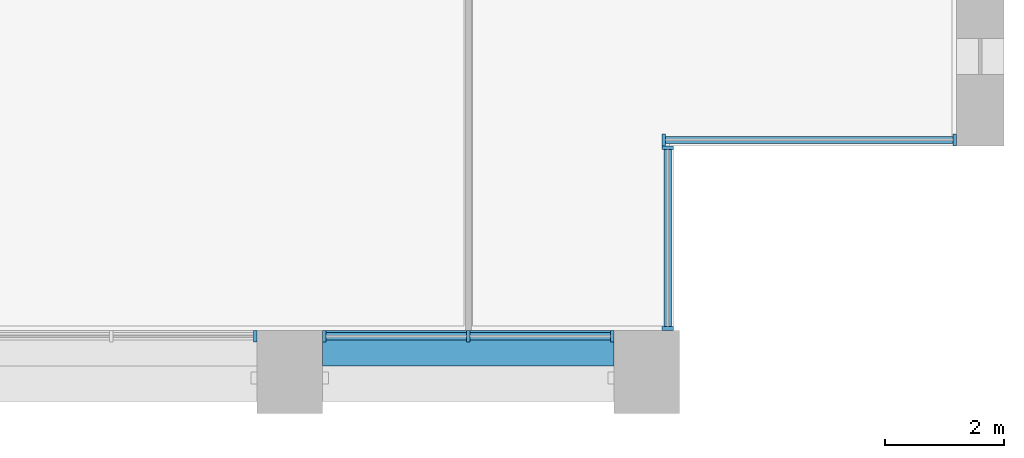
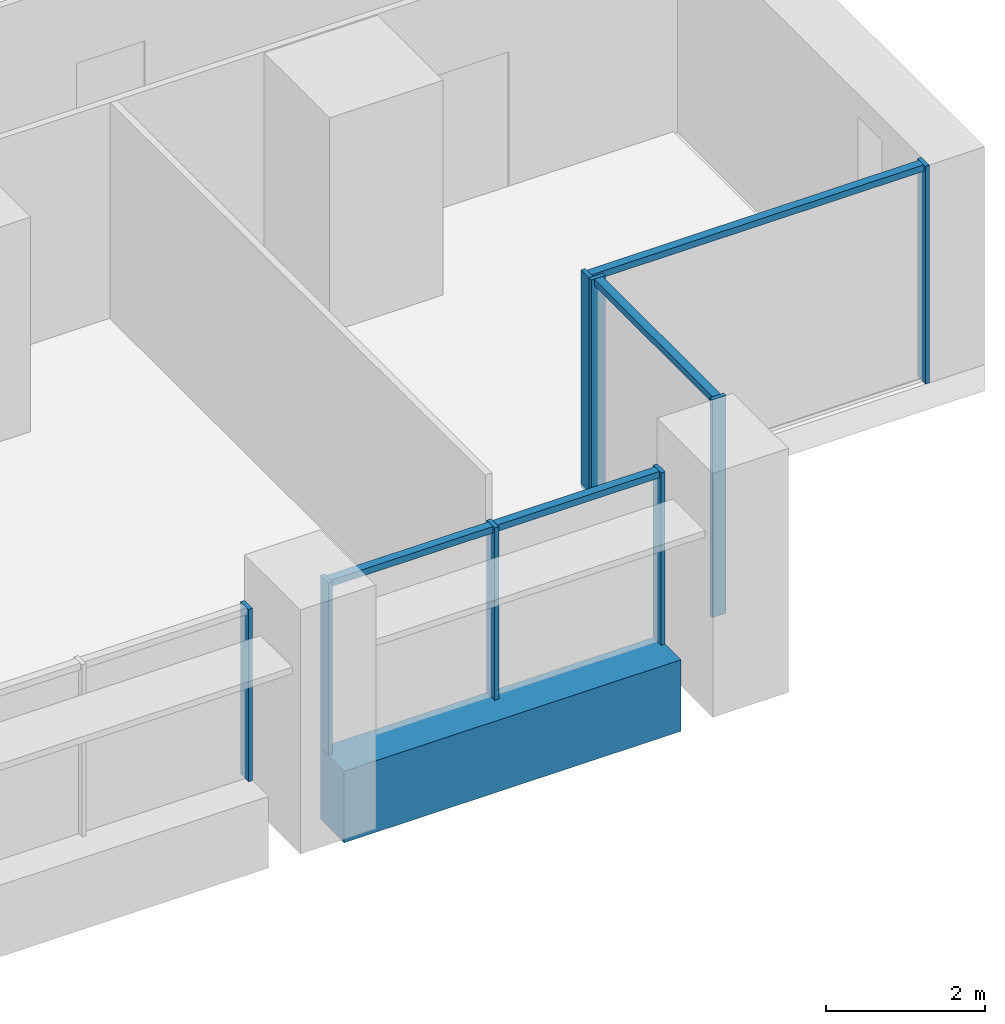
# One storey, part 5 of 18: 12 members, 1 beam, 4 elements without a shape of their own.
"""IFC4 building model written with IfcOpenShell, lengths in metres."""

from ifc_helpers import new_model, si_unit, direction, frame, origin, origin_2d, place, context, subcontext, project, spatial, rectangle, extrude, material, material_profile, profile_set, type_object, element, aggregate, save


model = new_model("IFC4")

# Units and contexts
model_context = context("Model", 3, precision=1e-05, world=origin(), true_north=direction((0.0, 1.0)))
body_context = subcontext(model_context, "Body", "Model", "MODEL_VIEW")
ifc_project = project(units=[si_unit("LENGTHUNIT", "METRE"), si_unit("AREAUNIT", "SQUARE_METRE"), si_unit("VOLUMEUNIT", "CUBIC_METRE"), si_unit("PLANEANGLEUNIT", "RADIAN"), si_unit("MASSUNIT", "GRAM", prefix="KILO")], contexts=[model_context])

# Site, building, storey
site_placement = place(None, origin())
site = spatial("IfcSite", under=ifc_project, at=site_placement, CompositionType="ELEMENT")
building_placement = place(site_placement, origin())
building = spatial("IfcBuilding", under=site, at=building_placement, Name="Calvaro Tower", CompositionType="ELEMENT")
storey_placement = place(building_placement, frame((0.0, 0.0, 60.0)))
storey = spatial("IfcBuildingStorey", under=building, at=storey_placement, Name="L14", CompositionType="ELEMENT", Elevation=60.0)

# Curtain wall, member
ifc_material_1 = material(Name="Anodised aluminium", Category="aluminium")
curtain_wall_type = type_object("IfcCurtainWallType", Name="Office curtain wall, lower zone", PredefinedType="NOTDEFINED", material=ifc_material_1)
curtain_wall_1_placement = place(storey_placement, origin())
curtain_wall_1 = element("IfcCurtainWall", 1, at=curtain_wall_1_placement, inside=storey, type_object=curtain_wall_type, Name="CW1 south curtain wall", PredefinedType="NOTDEFINED")
ifc_material_2 = material(Name="Anodised aluminium", Category="aluminium")
ifc_material_profile_1 = material_profile(ifc_material_2, rectangle(XDim=0.199951171875, YDim=0.06005859375, at=origin_2d()), Name="Mullion S1 60 x 200")
ifc_profile_set_1 = profile_set([ifc_material_profile_1], Name="Anodised aluminium")
member_type_1 = type_object("IfcMemberType", Name="Mullion S1 60 x 200", PredefinedType="MULLION", material=ifc_profile_set_1)
member_1_placement = place(storey_placement, frame((65.419921875, 1.300048828125, 0.0), z_axis=(0.0, 0.0, 1.0), x_axis=(0.0, 1.0, 0.0)))
member_1 = element("IfcMember", 2, at=member_1_placement, type_object=member_type_1, Name="CW1 mullion 3", PredefinedType="MULLION", context=body_context, shape_type="SweptSolid", body=[
    extrude(rectangle(XDim=0.199951171875, YDim=0.06005859375, at=origin_2d()), origin(), (0.0, 0.0, 1.0), 2.64990234375),
])
aggregate(curtain_wall_1, [member_1])

# Curtain wall, members
curtain_wall_2_placement = place(storey_placement, origin())
curtain_wall_2 = element("IfcCurtainWall", 3, at=curtain_wall_2_placement, inside=storey, type_object=curtain_wall_type, Name="CW1 south curtain wall", PredefinedType="NOTDEFINED")
member_2_placement = place(storey_placement, frame((66.580078125, 1.300048828125, 0.0), z_axis=(0.0, 0.0, 1.0), x_axis=(0.0, 1.0, 0.0)))
member_2 = element("IfcMember", 4, at=member_2_placement, type_object=member_type_1, Name="CW1 mullion 1", PredefinedType="MULLION", context=body_context, shape_type="SweptSolid", body=[
    extrude(rectangle(XDim=0.199951171875, YDim=0.06005859375, at=origin_2d()), origin(), (0.0, 0.0, 1.0), 2.64990234375),
])
member_3_placement = place(storey_placement, frame((69.0, 1.300048828125, 0.0), z_axis=(0.0, 0.0, 1.0), x_axis=(0.0, 1.0, 0.0)))
member_3 = element("IfcMember", 5, at=member_3_placement, type_object=member_type_1, Name="CW1 mullion 2", PredefinedType="MULLION", context=body_context, shape_type="SweptSolid", body=[
    extrude(rectangle(XDim=0.199951171875, YDim=0.06005859375, at=origin_2d()), origin(), (0.0, 0.0, 1.0), 2.64990234375),
])
member_4_placement = place(storey_placement, frame((71.419921875, 1.300048828125, 0.0), z_axis=(0.0, 0.0, 1.0), x_axis=(0.0, 1.0, 0.0)))
member_4 = element("IfcMember", 6, at=member_4_placement, type_object=member_type_1, Name="CW1 mullion 3", PredefinedType="MULLION", context=body_context, shape_type="SweptSolid", body=[
    extrude(rectangle(XDim=0.199951171875, YDim=0.06005859375, at=origin_2d()), origin(), (0.0, 0.0, 1.0), 2.64990234375),
])

curtain_wall_3_placement = place(storey_placement, origin())
curtain_wall_3 = element("IfcCurtainWall", 7, at=curtain_wall_3_placement, inside=storey, type_object=curtain_wall_type, Name="CW1 corner curtain wall", PredefinedType="NOTDEFINED")
member_5_placement = place(storey_placement, frame((72.35009765625, 1.429931640625, 0.0), z_axis=(0.0, 0.0, 1.0), x_axis=(-1.0, 0.0, 0.0)))
member_5 = element("IfcMember", 8, at=member_5_placement, type_object=member_type_1, Name="CW1 mullion 1", PredefinedType="MULLION", context=body_context, shape_type="SweptSolid", body=[
    extrude(rectangle(XDim=0.199951171875, YDim=0.06005859375, at=origin_2d()), origin(), (0.0, 0.0, 1.0), 3.35009765625),
])
member_6_placement = place(storey_placement, frame((72.35009765625, 4.469970703125, 0.0), z_axis=(0.0, 0.0, 1.0), x_axis=(-1.0, 0.0, 0.0)))
member_6 = element("IfcMember", 9, at=member_6_placement, type_object=member_type_1, Name="CW1 mullion 2", PredefinedType="MULLION", context=body_context, shape_type="SweptSolid", body=[
    extrude(rectangle(XDim=0.199951171875, YDim=0.06005859375, at=origin_2d()), origin(), (0.0, 0.0, 1.0), 3.35009765625),
])

curtain_wall_4_placement = place(storey_placement, origin())
curtain_wall_4 = element("IfcCurtainWall", 10, at=curtain_wall_4_placement, inside=storey, type_object=curtain_wall_type, Name="CW1 corner curtain wall", PredefinedType="NOTDEFINED")
member_7_placement = place(storey_placement, frame((72.280029296875, 4.60009765625, 0.0), z_axis=(0.0, 0.0, 1.0), x_axis=(0.0, 1.0, 0.0)))
member_7 = element("IfcMember", 11, at=member_7_placement, type_object=member_type_1, Name="CW1 mullion 1", PredefinedType="MULLION", context=body_context, shape_type="SweptSolid", body=[
    extrude(rectangle(XDim=0.199951171875, YDim=0.06005859375, at=origin_2d()), origin(), (0.0, 0.0, 1.0), 3.35009765625),
])
member_8_placement = place(storey_placement, frame((77.169921875, 4.60009765625, 0.0), z_axis=(0.0, 0.0, 1.0), x_axis=(0.0, 1.0, 0.0)))
member_8 = element("IfcMember", 12, at=member_8_placement, type_object=member_type_1, Name="CW1 mullion 2", PredefinedType="MULLION", context=body_context, shape_type="SweptSolid", body=[
    extrude(rectangle(XDim=0.199951171875, YDim=0.06005859375, at=origin_2d()), origin(), (0.0, 0.0, 1.0), 3.35009765625),
])

# Beam
ifc_material_3 = material(Name="Concrete C50/60 precast", Category="concrete")
ifc_material_profile_2 = material_profile(ifc_material_3, rectangle(XDim=0.60009765625, YDim=1.10009765625, at=origin_2d()), Name="RC 600x1100")
ifc_profile_set_2 = profile_set([ifc_material_profile_2], Name="Concrete C50/60 precast")
beam_type = type_object("IfcBeamType", Name="Spandrel beam 600x1100 C50/60", PredefinedType="SPANDREL", material=ifc_profile_set_2)
beam_placement = place(storey_placement, frame((66.550048828125, 1.10009765625, -0.550048828125), z_axis=(1.0, 0.0, 0.0), x_axis=(0.0, 1.0, 0.0)))
element("IfcBeam", 13, at=beam_placement, inside=storey, type_object=beam_type, Name="Spandrel beam", PredefinedType="SPANDREL", context=body_context, shape_type="SweptSolid", body=[
    extrude(rectangle(XDim=0.60009765625, YDim=1.10009765625, at=origin_2d()), origin(), (0.0, 0.0, 1.0), 4.89990234375),
])

# Member
ifc_material_4 = material(Name="Anodised aluminium", Category="aluminium")
ifc_material_profile_3 = material_profile(ifc_material_4, rectangle(XDim=0.1201171875, YDim=0.10009765625, at=origin_2d()), Name="Transom S1 100 x 120")
ifc_profile_set_3 = profile_set([ifc_material_profile_3], Name="Anodised aluminium")
member_type_2 = type_object("IfcMemberType", Name="Transom S1 100 x 120", PredefinedType="USERDEFINED", material=ifc_profile_set_3)
member_9_placement = place(storey_placement, frame((66.610107421875, 1.300048828125, 2.60009765625), z_axis=(1.0, 0.0, 0.0), x_axis=(0.0, 1.0, 0.0)))
member_9 = element("IfcMember", 14, at=member_9_placement, type_object=member_type_2, Name="CW1 transom 1.1", ObjectType="TRANSOM", PredefinedType="USERDEFINED", context=body_context, shape_type="SweptSolid", body=[
    extrude(rectangle(XDim=0.1201171875, YDim=0.10009765625, at=origin_2d()), origin(), (0.0, 0.0, 1.0), 2.35986328125),
])

member_10_placement = place(storey_placement, frame((69.030029296875, 1.300048828125, 2.60009765625), z_axis=(1.0, 0.0, 0.0), x_axis=(0.0, 1.0, 0.0)))
member_10 = element("IfcMember", 15, at=member_10_placement, type_object=member_type_2, Name="CW1 transom 2.1", ObjectType="TRANSOM", PredefinedType="USERDEFINED", context=body_context, shape_type="SweptSolid", body=[
    extrude(rectangle(XDim=0.1201171875, YDim=0.10009765625, at=origin_2d()), origin(), (0.0, 0.0, 1.0), 2.35986328125),
])

aggregate(curtain_wall_2, [member_2, member_3, member_4, member_9, member_10])

member_11_placement = place(storey_placement, frame((72.35009765625, 1.4599609375, 3.300048828125), z_axis=(0.0, 1.0, 0.0), x_axis=(-1.0, 0.0, 0.0)))
member_11 = element("IfcMember", 16, at=member_11_placement, type_object=member_type_2, Name="CW1 transom 1.1", ObjectType="TRANSOM", PredefinedType="USERDEFINED", context=body_context, shape_type="SweptSolid", body=[
    extrude(rectangle(XDim=0.1201171875, YDim=0.10009765625, at=origin_2d()), origin(), (0.0, 0.0, 1.0), 2.97998046875),
])

aggregate(curtain_wall_3, [member_5, member_6, member_11])

member_12_placement = place(storey_placement, frame((72.31005859375, 4.60009765625, 3.300048828125), z_axis=(1.0, 0.0, 0.0), x_axis=(0.0, 1.0, 0.0)))
member_12 = element("IfcMember", 17, at=member_12_placement, type_object=member_type_2, Name="CW1 transom 1.1", ObjectType="TRANSOM", PredefinedType="USERDEFINED", context=body_context, shape_type="SweptSolid", body=[
    extrude(rectangle(XDim=0.1201171875, YDim=0.10009765625, at=origin_2d()), origin(), (0.0, 0.0, 1.0), 4.829833984375),
])

aggregate(curtain_wall_4, [member_7, member_8, member_12])

save(model, "model.ifc")
